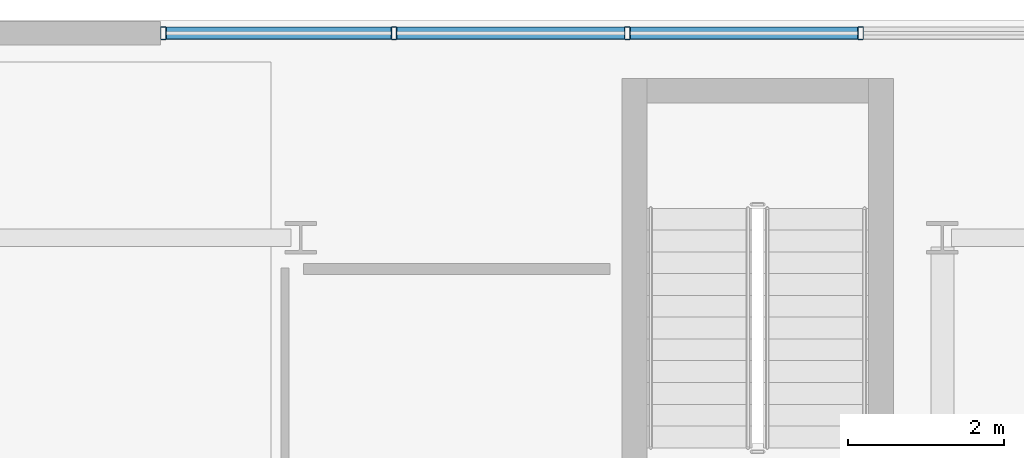
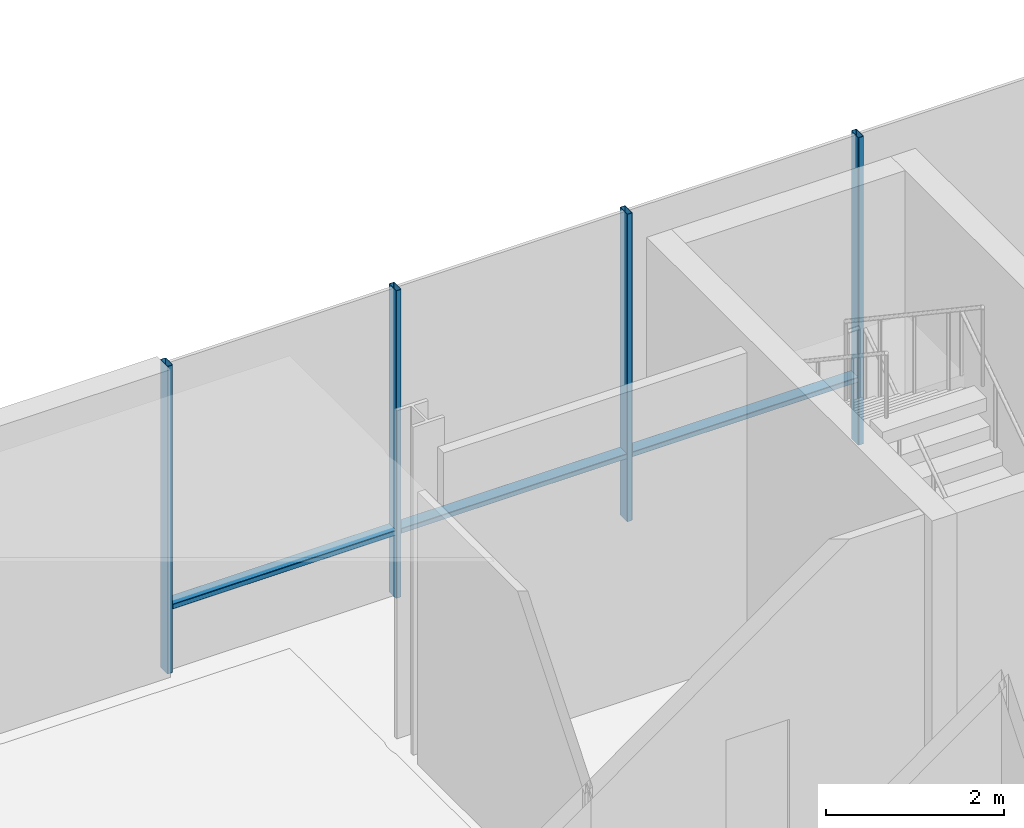
# One storey, part 8 of 26: 7 members, 1 element without a shape of its own.
"""IFC4 building model written with IfcOpenShell, lengths in metres."""

from ifc_helpers import new_model, si_unit, direction, frame, origin, origin_2d, place, context, subcontext, project, spatial, hollow_rectangle, extrude, material, layer, layer_set, material_profile, profile_set, type_object, element, aggregate, save


model = new_model("IFC4")

# Units and contexts
model_context = context("Model", 3, precision=1e-05, world=origin(), true_north=direction((0.0, 1.0)))
body_context = subcontext(model_context, "Body", "Model", "MODEL_VIEW")
ifc_project = project(units=[si_unit("LENGTHUNIT", "METRE"), si_unit("AREAUNIT", "SQUARE_METRE"), si_unit("VOLUMEUNIT", "CUBIC_METRE"), si_unit("PLANEANGLEUNIT", "RADIAN"), si_unit("MASSUNIT", "GRAM", prefix="KILO")], contexts=[model_context])

# Site, building, storey
site_placement = place(None, origin())
site = spatial("IfcSite", under=ifc_project, at=site_placement, CompositionType="ELEMENT")
building_placement = place(site_placement, origin())
building = spatial("IfcBuilding", under=site, at=building_placement, Name="Brevholm Reach", CompositionType="ELEMENT")
storey_placement = place(building_placement, frame((0.0, 0.0, 18.0)))
storey = spatial("IfcBuildingStorey", under=building, at=storey_placement, Name="L04", CompositionType="ELEMENT", Elevation=18.0)

# Curtain wall, members
ifc_material_1 = material(Name="Dark Anodised Aluminium 6063-T6 and Solar-Control Glass", Category="aluminium")
ifc_layer = layer(ifc_material_1, 0.1650390625)
ifc_layer_set = layer_set([ifc_layer], Name="Dark Anodised Aluminium 6063-T6 and Solar-Control Glass")
curtain_wall_type = type_object("IfcCurtainWallType", Name="CW-03", PredefinedType="NOTDEFINED", material=ifc_layer_set)
curtain_wall_placement = place(storey_placement, origin())
curtain_wall = element("IfcCurtainWall", 1, at=curtain_wall_placement, inside=storey, type_object=curtain_wall_type, Name="L04 Curtain Wall CW-03", PredefinedType="NOTDEFINED")
ifc_material_2 = material(Name="Dark Anodised Aluminium 6063-T6", Category="aluminium")
ifc_material_profile_1 = material_profile(ifc_material_2, hollow_rectangle(XDim=0.070068359375, YDim=0.1650390625, WallThickness=0.0048828125, InnerFilletRadius=0.0048828125, OuterFilletRadius=0.010009765625, at=origin_2d()), Name="RHS 165x70x5")
ifc_profile_set_1 = profile_set([ifc_material_profile_1], Name="Dark Anodised Aluminium 6063-T6")
member_type_1 = type_object("IfcMemberType", Name="CWM-165", PredefinedType="MULLION", material=ifc_profile_set_1)
member_1_placement = place(storey_placement, frame((28.235107421875, 39.830078125, 0.0), z_axis=(0.0, 0.0, 1.0), x_axis=(1.0, 0.0, 0.0)))
member_1 = element("IfcMember", 2, at=member_1_placement, type_object=member_type_1, Name="CM-165 Mullion 1", PredefinedType="MULLION", context=body_context, shape_type="SweptSolid", body=[
    extrude(hollow_rectangle(XDim=0.070068359375, YDim=0.1650390625, WallThickness=0.0048828125, InnerFilletRadius=0.0048828125, OuterFilletRadius=0.010009765625, at=origin_2d()), origin(), (0.0, 0.0, 1.0), 4.219970703125),
])
member_2_placement = place(storey_placement, frame((31.199951171875, 39.830078125, 0.0), z_axis=(0.0, 0.0, 1.0), x_axis=(1.0, 0.0, 0.0)))
member_2 = element("IfcMember", 3, at=member_2_placement, type_object=member_type_1, Name="CM-165 Mullion 2", PredefinedType="MULLION", context=body_context, shape_type="SweptSolid", body=[
    extrude(hollow_rectangle(XDim=0.070068359375, YDim=0.1650390625, WallThickness=0.0048828125, InnerFilletRadius=0.0048828125, OuterFilletRadius=0.010009765625, at=origin_2d()), origin(), (0.0, 0.0, 1.0), 4.219970703125),
])
member_3_placement = place(storey_placement, frame((34.199951171875, 39.830078125, 0.0), z_axis=(0.0, 0.0, 1.0), x_axis=(1.0, 0.0, 0.0)))
member_3 = element("IfcMember", 4, at=member_3_placement, type_object=member_type_1, Name="CM-165 Mullion 3", PredefinedType="MULLION", context=body_context, shape_type="SweptSolid", body=[
    extrude(hollow_rectangle(XDim=0.070068359375, YDim=0.1650390625, WallThickness=0.0048828125, InnerFilletRadius=0.0048828125, OuterFilletRadius=0.010009765625, at=origin_2d()), origin(), (0.0, 0.0, 1.0), 4.219970703125),
])
member_4_placement = place(storey_placement, frame((37.199951171875, 39.830078125, 0.0), z_axis=(0.0, 0.0, 1.0), x_axis=(1.0, 0.0, 0.0)))
member_4 = element("IfcMember", 5, at=member_4_placement, type_object=member_type_1, Name="CM-165 Mullion 4", PredefinedType="MULLION", context=body_context, shape_type="SweptSolid", body=[
    extrude(hollow_rectangle(XDim=0.070068359375, YDim=0.1650390625, WallThickness=0.0048828125, InnerFilletRadius=0.0048828125, OuterFilletRadius=0.010009765625, at=origin_2d()), origin(), (0.0, 0.0, 1.0), 4.219970703125),
])
ifc_material_3 = material(Name="Dark Anodised Aluminium 6063-T6", Category="aluminium")
ifc_material_profile_2 = material_profile(ifc_material_3, hollow_rectangle(XDim=0.070068359375, YDim=0.1650390625, WallThickness=0.0048828125, InnerFilletRadius=0.0048828125, OuterFilletRadius=0.010009765625, at=origin_2d()), Name="RHS 165x70x5")
ifc_profile_set_2 = profile_set([ifc_material_profile_2], Name="Dark Anodised Aluminium 6063-T6")
member_type_2 = type_object("IfcMemberType", Name="CWT-165", PredefinedType="NOTDEFINED", material=ifc_profile_set_2)
member_5_placement = place(storey_placement, frame((28.27001953125, 39.830078125, 0.89990234375), z_axis=(1.0, 0.0, 0.0), x_axis=(0.0, 0.0, 1.0)))
member_5 = element("IfcMember", 6, at=member_5_placement, type_object=member_type_2, Name="CT-165 Transom 1.1", ObjectType="TRANSOM", PredefinedType="USERDEFINED", context=body_context, shape_type="SweptSolid", body=[
    extrude(hollow_rectangle(XDim=0.070068359375, YDim=0.1650390625, WallThickness=0.0048828125, InnerFilletRadius=0.0048828125, OuterFilletRadius=0.010009765625, at=origin_2d()), origin(), (0.0, 0.0, 1.0), 2.89501953125),
])
member_6_placement = place(storey_placement, frame((31.235107421875, 39.830078125, 0.89990234375), z_axis=(1.0, 0.0, 0.0), x_axis=(0.0, 0.0, 1.0)))
member_6 = element("IfcMember", 7, at=member_6_placement, type_object=member_type_2, Name="CT-165 Transom 2.1", ObjectType="TRANSOM", PredefinedType="USERDEFINED", context=body_context, shape_type="SweptSolid", body=[
    extrude(hollow_rectangle(XDim=0.070068359375, YDim=0.1650390625, WallThickness=0.0048828125, InnerFilletRadius=0.0048828125, OuterFilletRadius=0.010009765625, at=origin_2d()), origin(), (0.0, 0.0, 1.0), 2.929931640625),
])
member_7_placement = place(storey_placement, frame((34.235107421875, 39.830078125, 0.89990234375), z_axis=(1.0, 0.0, 0.0), x_axis=(0.0, 0.0, 1.0)))
member_7 = element("IfcMember", 8, at=member_7_placement, type_object=member_type_2, Name="CT-165 Transom 3.1", ObjectType="TRANSOM", PredefinedType="USERDEFINED", context=body_context, shape_type="SweptSolid", body=[
    extrude(hollow_rectangle(XDim=0.070068359375, YDim=0.1650390625, WallThickness=0.0048828125, InnerFilletRadius=0.0048828125, OuterFilletRadius=0.010009765625, at=origin_2d()), origin(), (0.0, 0.0, 1.0), 2.929931640625),
])
aggregate(curtain_wall, [member_1, member_2, member_3, member_4, member_5, member_6, member_7])

save(model, "model.ifc")
